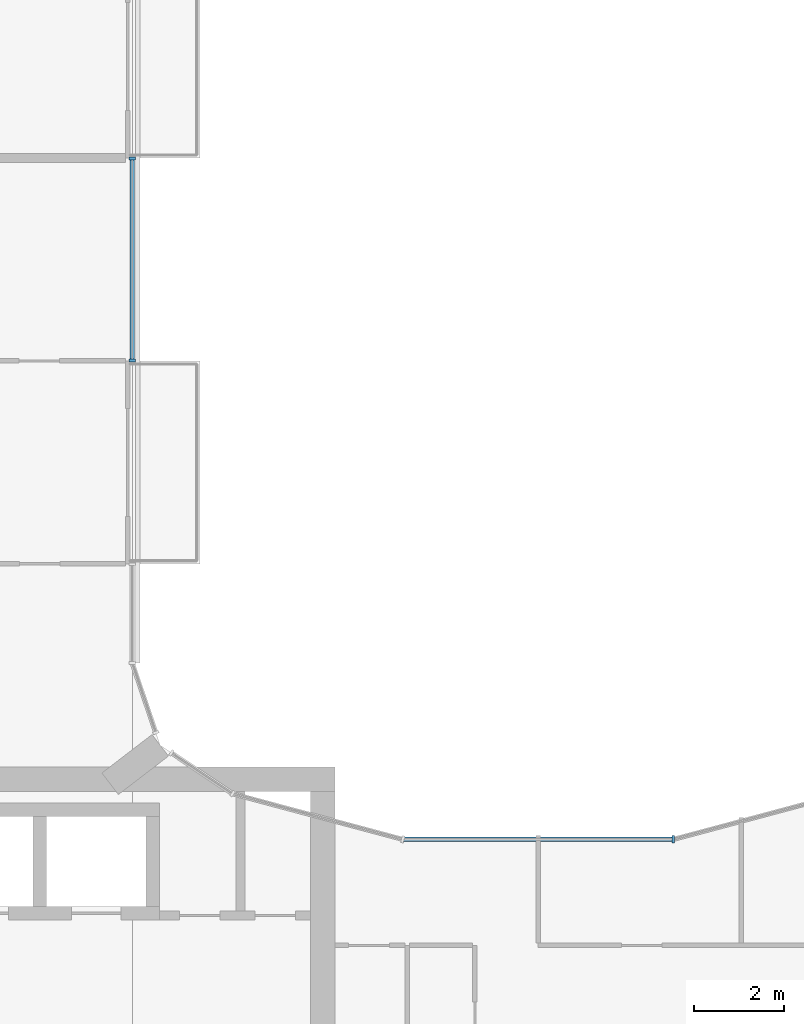
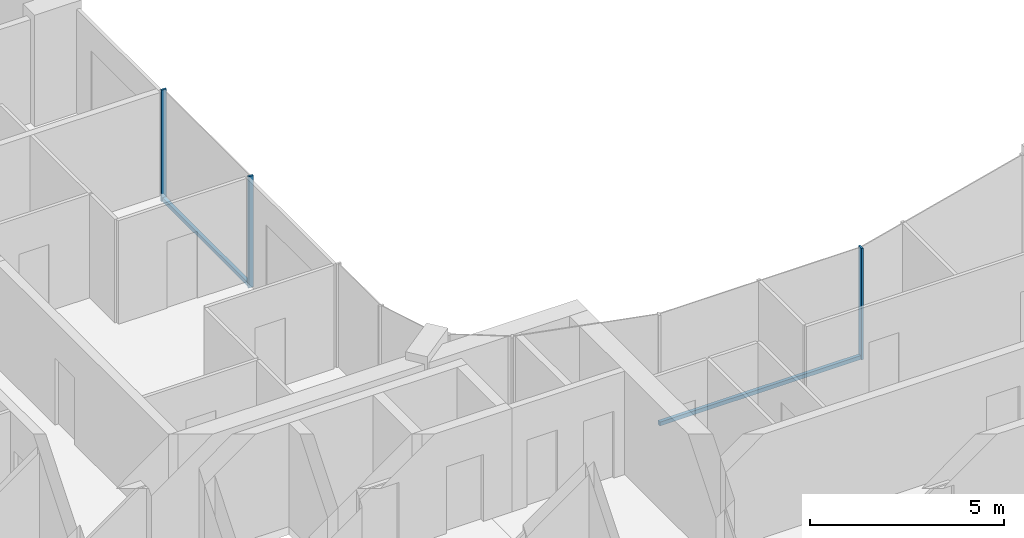
# One storey, part 5 of 15: 5 members, 2 elements without a shape of their own.
"""IFC4 building model written with IfcOpenShell, lengths in metres."""

from ifc_helpers import new_model, si_unit, direction, frame, origin, origin_2d, place, context, subcontext, project, spatial, rectangle, extrude, material, layer, layer_set, material_profile, profile_set, type_object, element, aggregate, save


model = new_model("IFC4")

# Units and contexts
model_context = context("Model", 3, precision=1e-05, world=origin(), true_north=direction((0.0, 1.0)))
body_context = subcontext(model_context, "Body", "Model", "MODEL_VIEW")
ifc_project = project(units=[si_unit("LENGTHUNIT", "METRE"), si_unit("AREAUNIT", "SQUARE_METRE"), si_unit("VOLUMEUNIT", "CUBIC_METRE"), si_unit("PLANEANGLEUNIT", "RADIAN"), si_unit("MASSUNIT", "GRAM", prefix="KILO")], contexts=[model_context])

# Site, building, storey
site_placement = place(None, origin())
site = spatial("IfcSite", under=ifc_project, at=site_placement, CompositionType="ELEMENT")
building_placement = place(site_placement, origin())
building = spatial("IfcBuilding", under=site, at=building_placement, Name="Plateau Cross Towers", CompositionType="ELEMENT")
storey_placement = place(building_placement, frame((0.0, 0.0, 201.39990234375)))
storey = spatial("IfcBuildingStorey", under=building, at=storey_placement, Name="L52", CompositionType="ELEMENT", Elevation=201.39990234375)

# Curtain wall, members
ifc_material_1 = material(Name="Dark low-iron glass", Category="glass")
ifc_layer_1 = layer(ifc_material_1, 0.239990234375)
ifc_layer_set_1 = layer_set([ifc_layer_1], Name="Dark low-iron glass")
curtain_wall_type_1 = type_object("IfcCurtainWallType", Name="Curtain wall flush unitised CW-B", PredefinedType="NOTDEFINED", material=ifc_layer_set_1)
curtain_wall_1_placement = place(storey_placement, origin())
curtain_wall_1 = element("IfcCurtainWall", 1, at=curtain_wall_1_placement, inside=storey, type_object=curtain_wall_type_1, Name="ENV/A/L52/A180_270", PredefinedType="NOTDEFINED")
ifc_material_2 = material(Name="Black anodised aluminium", Category="aluminium")
ifc_material_profile_1 = material_profile(ifc_material_2, rectangle(XDim=0.06005859375, YDim=0.139892578125, at=origin_2d()), Name="MULLION 60x140")
ifc_profile_set_1 = profile_set([ifc_material_profile_1], Name="Black anodised aluminium")
member_type_1 = type_object("IfcMemberType", Name="Mullion 60x140 flush unitised", PredefinedType="MULLION", material=ifc_profile_set_1)
member_1_placement = place(storey_placement, frame((18.0, 27.010009765625, -0.25), z_axis=(0.0, 0.0, 1.0), x_axis=(0.0, 1.0, 0.0)))
member_1 = element("IfcMember", 2, at=member_1_placement, type_object=member_type_1, Name="CW-B mullion 1", PredefinedType="MULLION", context=body_context, shape_type="SweptSolid", body=[
    extrude(rectangle(XDim=0.06005859375, YDim=0.139892578125, at=origin_2d()), origin(), (0.0, 0.0, 1.0), 3.5),
])
member_2_placement = place(storey_placement, frame((18.0, 31.489990234375, -0.25), z_axis=(0.0, 0.0, 1.0), x_axis=(0.0, 1.0, 0.0)))
member_2 = element("IfcMember", 3, at=member_2_placement, type_object=member_type_1, Name="CW-B mullion 2", PredefinedType="MULLION", context=body_context, shape_type="SweptSolid", body=[
    extrude(rectangle(XDim=0.06005859375, YDim=0.139892578125, at=origin_2d()), origin(), (0.0, 0.0, 1.0), 3.5),
])

# Curtain wall, member
ifc_layer_2 = layer(ifc_material_1, 0.260009765625)
ifc_layer_set_2 = layer_set([ifc_layer_2], Name="Dark low-iron glass")
curtain_wall_type_2 = type_object("IfcCurtainWallType", Name="Curtain wall fluted unitised CW-A", PredefinedType="NOTDEFINED", material=ifc_layer_set_2)
curtain_wall_2_placement = place(storey_placement, origin())
curtain_wall_2 = element("IfcCurtainWall", 4, at=curtain_wall_2_placement, inside=storey, type_object=curtain_wall_type_2, Name="ENV/A/L52/A300_164", PredefinedType="NOTDEFINED")
ifc_material_profile_2 = material_profile(ifc_material_2, rectangle(XDim=0.06005859375, YDim=0.159912109375, at=origin_2d()), Name="MULLION 60x160")
ifc_profile_set_2 = profile_set([ifc_material_profile_2], Name="Black anodised aluminium")
member_type_2 = type_object("IfcMemberType", Name="Mullion 60x160 fluted unitised", PredefinedType="MULLION", material=ifc_profile_set_2)
member_3_placement = place(storey_placement, frame((30.0, 16.39306640625, -0.25), z_axis=(0.0, 0.0, 1.0), x_axis=(-1.0, 0.0, 0.0)))
member_3 = element("IfcMember", 5, at=member_3_placement, type_object=member_type_2, Name="CW-A mullion 1", PredefinedType="MULLION", context=body_context, shape_type="SweptSolid", body=[
    extrude(rectangle(XDim=0.06005859375, YDim=0.159912109375, at=origin_2d()), origin(), (0.0, 0.0, 1.0), 3.5),
])

# Member
ifc_material_profile_3 = material_profile(ifc_material_2, rectangle(XDim=0.10009765625, YDim=0.1201171875, at=origin_2d()), Name="TRANSOM 100x120")
ifc_profile_set_3 = profile_set([ifc_material_profile_3], Name="Black anodised aluminium")
member_type_3 = type_object("IfcMemberType", Name="Transom 100x120 flush unitised", PredefinedType="USERDEFINED", material=ifc_profile_set_3)
member_4_placement = place(storey_placement, frame((18.0, 27.010009765625, -0.18994140625), z_axis=(0.0, 1.0, 0.0), x_axis=(-1.0, 0.0, 0.0)))
member_4 = element("IfcMember", 6, at=member_4_placement, type_object=member_type_3, Name="CW-B transom", ObjectType="TRANSOM", PredefinedType="USERDEFINED", context=body_context, shape_type="SweptSolid", body=[
    extrude(rectangle(XDim=0.10009765625, YDim=0.1201171875, at=origin_2d()), origin(), (0.0, 0.0, 1.0), 4.47998046875),
])

aggregate(curtain_wall_1, [member_1, member_2, member_4])

ifc_material_profile_4 = material_profile(ifc_material_2, rectangle(XDim=0.10009765625, YDim=0.1201171875, at=origin_2d()), Name="TRANSOM 100x120")
ifc_profile_set_4 = profile_set([ifc_material_profile_4], Name="Black anodised aluminium")
member_type_4 = type_object("IfcMemberType", Name="Transom 100x120 fluted unitised", PredefinedType="USERDEFINED", material=ifc_profile_set_4)
member_5_placement = place(storey_placement, frame((30.0, 16.39306640625, -0.18994140625), z_axis=(-1.0, 0.0, 0.0), x_axis=(0.0, -1.0, 0.0)))
member_5 = element("IfcMember", 7, at=member_5_placement, type_object=member_type_4, Name="CW-A transom", ObjectType="TRANSOM", PredefinedType="USERDEFINED", context=body_context, shape_type="SweptSolid", body=[
    extrude(rectangle(XDim=0.10009765625, YDim=0.1201171875, at=origin_2d()), origin(), (0.0, 0.0, 1.0), 6.0),
])

aggregate(curtain_wall_2, [member_3, member_5])

save(model, "model.ifc")
